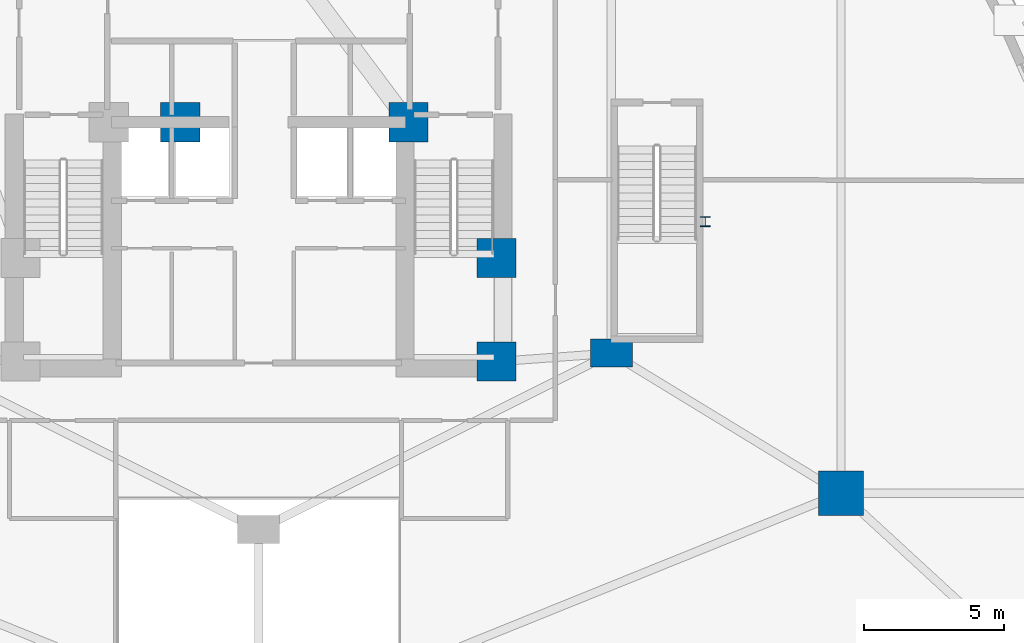
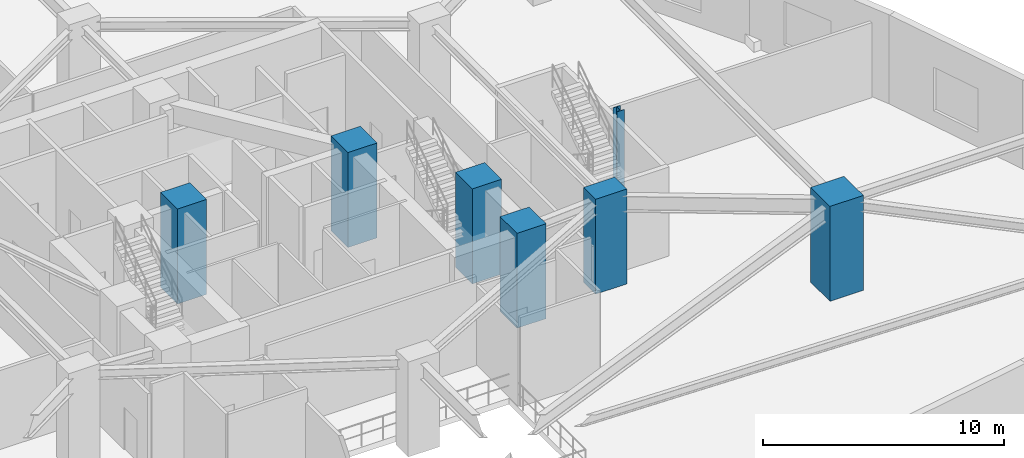
# One storey, part 2 of 25: 7 columns.
"""IFC4 building model written with IfcOpenShell, lengths in metres."""

from ifc_helpers import new_model, si_unit, direction, frame, origin, origin_2d, place, context, subcontext, project, spatial, rectangle, i_section, extrude, material, material_profile, profile_set, type_object, element, save


model = new_model("IFC4")

# Units and contexts
model_context = context("Model", 3, precision=1e-05, world=origin(), true_north=direction((0.0, 1.0)))
body_context = subcontext(model_context, "Body", "Model", "MODEL_VIEW")
ifc_project = project(units=[si_unit("LENGTHUNIT", "METRE"), si_unit("AREAUNIT", "SQUARE_METRE"), si_unit("VOLUMEUNIT", "CUBIC_METRE"), si_unit("PLANEANGLEUNIT", "RADIAN"), si_unit("MASSUNIT", "GRAM", prefix="KILO")], contexts=[model_context])

# Site, building, storey
site_placement = place(None, origin())
site = spatial("IfcSite", under=ifc_project, at=site_placement, CompositionType="ELEMENT")
building_placement = place(site_placement, origin())
building = spatial("IfcBuilding", under=site, at=building_placement, Name="Miruveldt Soraemaru", CompositionType="ELEMENT")
storey_placement = place(building_placement, frame((0.0, 0.0, 4.800048828125)))
storey = spatial("IfcBuildingStorey", under=building, at=storey_placement, Name="L02", CompositionType="ELEMENT", Elevation=4.800048828125)

# Columns
ifc_material_1 = material(Name="Concrete C80/95 (80 MPa)", Category="concrete")
ifc_material_profile_1 = material_profile(ifc_material_1, rectangle(XDim=1.39990234375, YDim=1.39990234375, at=origin_2d()), Name="Concrete C80/95 (80 MPa)", Category="concrete")
ifc_profile_set_1 = profile_set([ifc_material_profile_1], Name="Concrete C80/95 (80 MPa)")
column_type_1 = type_object("IfcColumnType", Name="COL-MEGA-1400", PredefinedType="COLUMN", material=ifc_profile_set_1)
for number, where, z_axis, x_axis, name in (
    (1, (52.5, 35.5, 0.0), (0.0, 0.0, 1.0), (1.0, 0.0, 0.0), "L02 Structural Column CC3"),
    (2, (52.5, 39.199951171875, 0.0), (0.0, 0.0, 1.0), (1.0, 0.0, 0.0), "L02 Structural Column CC4"),
    (3, (49.35009765625, 44.050048828125, 0.0), (0.0, 0.0, 1.0), (1.0, 0.0, 0.0), "L02 Structural Column CC5"),
    (4, (41.199951171875, 44.050048828125, 0.0), (0.0, 0.0, 1.0), (1.0, 0.0, 0.0), "L02 Structural Column CC8"),
):
    element("IfcColumn", number, at=place(storey_placement, frame(where, z_axis=z_axis, x_axis=x_axis)), inside=storey, type_object=column_type_1, Name=name, PredefinedType="COLUMN", context=body_context, shape_type="SweptSolid", body=[
        extrude(rectangle(XDim=1.39990234375, YDim=1.39990234375, at=origin_2d()), origin(), (0.0, 0.0, 1.0), 4.800048828125),
    ])
ifc_material_profile_2 = material_profile(ifc_material_1, rectangle(XDim=1.60009765625, YDim=1.60009765625, at=origin_2d()), Name="Concrete C80/95 (80 MPa)", Category="concrete")
ifc_profile_set_2 = profile_set([ifc_material_profile_2], Name="Concrete C80/95 (80 MPa)")
column_type_2 = type_object("IfcColumnType", Name="COL-MEGA-1600", PredefinedType="COLUMN", material=ifc_profile_set_2)
column_1_placement = place(storey_placement, frame((64.800048828125, 30.800048828125, 0.0), z_axis=(0.0, 0.0, 1.0), x_axis=(1.0, 0.0, 0.0)))
element("IfcColumn", 5, at=column_1_placement, inside=storey, type_object=column_type_2, Name="L02 Structural Column PM03", PredefinedType="COLUMN", context=body_context, shape_type="SweptSolid", body=[
    extrude(rectangle(XDim=1.60009765625, YDim=1.60009765625, at=origin_2d()), origin(), (0.0, 0.0, 1.0), 4.800048828125),
])
ifc_material_2 = material(Name="Steel SM355 (355 MPa)", Category="steel")
ifc_material_profile_3 = material_profile(ifc_material_2, i_section(OverallWidth=0.35009765625, OverallDepth=0.35009765625, WebThickness=0.011962890625, FlangeThickness=0.01904296875, FilletRadius=0.02001953125, at=origin_2d()), Name="Steel SM355 (355 MPa)", Category="steel")
ifc_profile_set_3 = profile_set([ifc_material_profile_3], Name="Steel SM355 (355 MPa)")
column_type_3 = type_object("IfcColumnType", Name="COL-PIL-350", PredefinedType="PILASTER", material=ifc_profile_set_3)
column_2_placement = place(storey_placement, frame((59.949951171875, 40.5, 0.0), z_axis=(0.0, 0.0, 1.0), x_axis=(1.0, 0.0, 0.0)))
element("IfcColumn", 6, at=column_2_placement, inside=storey, type_object=column_type_3, Name="L02 Structural Column PIL2", PredefinedType="PILASTER", context=body_context, shape_type="SweptSolid", body=[
    extrude(i_section(OverallWidth=0.35009765625, OverallDepth=0.35009765625, WebThickness=0.011962890625, FlangeThickness=0.01904296875, FilletRadius=0.02001953125, at=origin_2d()), origin(), (0.0, 0.0, 1.0), 4.800048828125),
])
ifc_material_profile_4 = material_profile(ifc_material_1, rectangle(XDim=1.5, YDim=1.0, at=origin_2d()), Name="Concrete C80/95 (80 MPa)", Category="concrete")
ifc_profile_set_4 = profile_set([ifc_material_profile_4], Name="Concrete C80/95 (80 MPa)")
column_type_4 = type_object("IfcColumnType", Name="COL-TW-Z1A", PredefinedType="COLUMN", material=ifc_profile_set_4)
column_3_placement = place(storey_placement, frame((56.60009765625, 35.800048828125, 0.0), z_axis=(0.0, 0.0, 1.0), x_axis=(1.0, 0.0, 0.0)))
element("IfcColumn", 7, at=column_3_placement, inside=storey, type_object=column_type_4, Name="L02 Structural Column IR03", PredefinedType="COLUMN", context=body_context, shape_type="SweptSolid", body=[
    extrude(rectangle(XDim=1.5, YDim=1.0, at=origin_2d()), origin(), (0.0, 0.0, 1.0), 4.800048828125),
])

save(model, "model.ifc")
